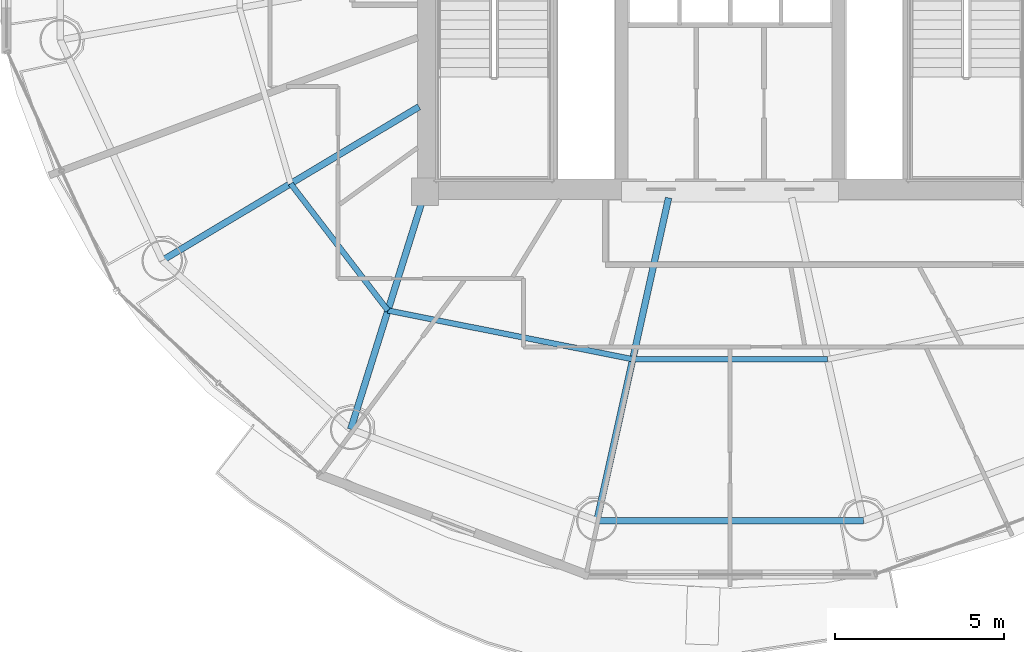
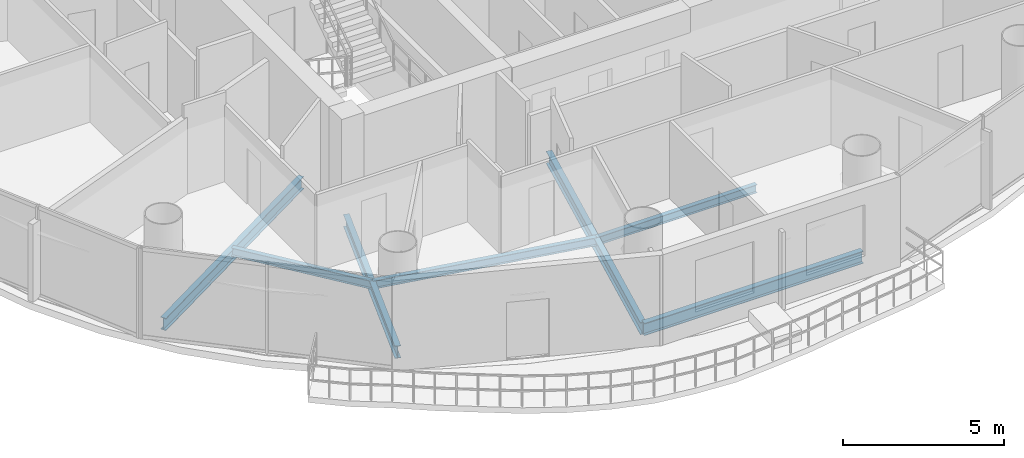
# One storey, part 4 of 26: 7 beams.
"""IFC4 building model written with IfcOpenShell, lengths in metres."""

from ifc_helpers import new_model, si_unit, direction, frame, origin, origin_2d, place, context, subcontext, project, spatial, i_section, extrude, material, material_profile, profile_set, type_object, element, save


model = new_model("IFC4")

# Units and contexts
model_context = context("Model", 3, precision=1e-05, world=origin(), true_north=direction((-0.2419218956, 0.970295726276)))
body_context = subcontext(model_context, "Body", "Model", "MODEL_VIEW")
ifc_project = project(units=[si_unit("LENGTHUNIT", "METRE"), si_unit("AREAUNIT", "SQUARE_METRE"), si_unit("VOLUMEUNIT", "CUBIC_METRE"), si_unit("PLANEANGLEUNIT", "RADIAN"), si_unit("MASSUNIT", "GRAM", prefix="KILO")], contexts=[model_context])

# Site, building, storey
site_placement = place(None, origin())
site = spatial("IfcSite", under=ifc_project, at=site_placement, CompositionType="ELEMENT")
building_placement = place(site_placement, origin())
building = spatial("IfcBuilding", under=site, at=building_placement, Name="Cobrevalo Terracotta Tower", CompositionType="ELEMENT")
storey_placement = place(building_placement, frame((0.0, 0.0, 206.0)))
storey = spatial("IfcBuildingStorey", under=building, at=storey_placement, Name="L54", CompositionType="ELEMENT", Elevation=206.0)

# Beams
ifc_material = material(Name="Steel S355", Category="steel")
ifc_material_profile_1 = material_profile(ifc_material, i_section(OverallWidth=0.194091796875, OverallDepth=0.468994140625, WebThickness=0.011474609375, FlangeThickness=0.0205078125, at=origin_2d()), Name="W 460x106")
ifc_profile_set_1 = profile_set([ifc_material_profile_1], Name="Steel S355")
beam_type_1 = type_object("IfcBeamType", Name="Structural Beam W 460x106 (Steel S355)", PredefinedType="BEAM", material=ifc_profile_set_1)
beam_1_placement = place(storey_placement, frame((21.245849609375, 16.77197265625, -0.49951171875), z_axis=(0.858046392192, 0.513572184651, 0.0), x_axis=(-0.513572184651, 0.858046392192, 0.0)))
element("IfcBeam", 1, at=beam_1_placement, inside=storey, type_object=beam_type_1, Name="L54 radial floor girder 10", PredefinedType="BEAM", context=body_context, shape_type="SweptSolid", body=[
    extrude(i_section(OverallWidth=0.194091796875, OverallDepth=0.468994140625, WebThickness=0.011474609375, FlangeThickness=0.0205078125, at=origin_2d()), origin(), (0.0, 0.0, 1.0), 8.827392578125),
])
beam_2_placement = place(storey_placement, frame((26.80517578125, 11.7919921875, -0.49951171875), z_axis=(0.298871212691, 0.954293454984, 0.0), x_axis=(-0.954293454984, 0.298871212691, 0.0)))
element("IfcBeam", 2, at=beam_2_placement, inside=storey, type_object=beam_type_1, Name="L54 radial floor girder 11", PredefinedType="BEAM", context=body_context, shape_type="SweptSolid", body=[
    extrude(i_section(OverallWidth=0.194091796875, OverallDepth=0.468994140625, WebThickness=0.011474609375, FlangeThickness=0.0205078125, at=origin_2d()), origin(), (0.0, 0.0, 1.0), 7.34375),
])
beam_3_placement = place(storey_placement, frame((34.06884765625, 9.096923828125, -0.49951171875), z_axis=(0.216782061165, 0.976220025382, 0.0), x_axis=(-0.976220025382, 0.216782061165, 0.0)))
element("IfcBeam", 3, at=beam_3_placement, inside=storey, type_object=beam_type_1, Name="L54 radial floor girder 12", PredefinedType="BEAM", context=body_context, shape_type="SweptSolid", body=[
    extrude(i_section(OverallWidth=0.194091796875, OverallDepth=0.468994140625, WebThickness=0.011474609375, FlangeThickness=0.0205078125, at=origin_2d()), origin(), (0.0, 0.0, 1.0), 9.755126953125),
])
ifc_material_profile_2 = material_profile(ifc_material, i_section(OverallWidth=0.1650390625, OverallDepth=0.31005859375, WebThickness=0.005859375, FlangeThickness=0.009765625, at=origin_2d()), Name="W 310x38.7")
ifc_profile_set_2 = profile_set([ifc_material_profile_2], Name="Steel S355")
beam_type_2 = type_object("IfcBeamType", Name="Structural Joist W 310x38.7 (Steel S355)", PredefinedType="JOIST", material=ifc_profile_set_2)
beam_4_placement = place(storey_placement, frame((25.032958984375, 19.03857421875, -0.419921875), z_axis=(0.608464146296, -0.793581364872, 0.0), x_axis=(0.793581364872, 0.608464146296, 0.0)))
element("IfcBeam", 4, at=beam_4_placement, inside=storey, type_object=beam_type_2, Name="L54 circumferential secondary floor joist 10", PredefinedType="JOIST", context=body_context, shape_type="SweptSolid", body=[
    extrude(i_section(OverallWidth=0.1650390625, OverallDepth=0.31005859375, WebThickness=0.005859375, FlangeThickness=0.009765625, at=origin_2d()), origin(), (0.0, 0.0, 1.0), 4.716064453125),
])
beam_5_placement = place(storey_placement, frame((27.902587890625, 15.2958984375, -0.419921875), z_axis=(0.980768907748, -0.195172614871, 0.0), x_axis=(0.195172614871, 0.980768907748, 0.0)))
element("IfcBeam", 5, at=beam_5_placement, inside=storey, type_object=beam_type_2, Name="L54 circumferential secondary floor joist 11", PredefinedType="JOIST", context=body_context, shape_type="SweptSolid", body=[
    extrude(i_section(OverallWidth=0.1650390625, OverallDepth=0.31005859375, WebThickness=0.005859375, FlangeThickness=0.009765625, at=origin_2d()), origin(), (0.0, 0.0, 1.0), 7.365234375),
])
beam_6_placement = place(storey_placement, frame((35.126220703125, 13.8583984375, -0.419921875), z_axis=(1.0, 0.0, 0.0), x_axis=(0.0, 1.0, 0.0)))
element("IfcBeam", 6, at=beam_6_placement, inside=storey, type_object=beam_type_2, Name="L54 circumferential secondary floor joist 12", PredefinedType="JOIST", context=body_context, shape_type="SweptSolid", body=[
    extrude(i_section(OverallWidth=0.1650390625, OverallDepth=0.31005859375, WebThickness=0.005859375, FlangeThickness=0.009765625, at=origin_2d()), origin(), (0.0, 0.0, 1.0), 5.74755859375),
])
ifc_material_profile_3 = material_profile(ifc_material, i_section(OverallWidth=0.194091796875, OverallDepth=0.468994140625, WebThickness=0.011474609375, FlangeThickness=0.0205078125, at=origin_2d()), Name="W 460x106")
ifc_profile_set_3 = profile_set([ifc_material_profile_3], Name="Steel S355")
beam_type_3 = type_object("IfcBeamType", Name="Structural Spandrel W 460x106 (Steel S355)", PredefinedType="SPANDREL", material=ifc_profile_set_3)
beam_7_placement = place(storey_placement, frame((34.06884765625, 9.096923828125, -0.49951171875), z_axis=(1.0, 0.0, 0.0), x_axis=(0.0, 1.0, 0.0)))
element("IfcBeam", 7, at=beam_7_placement, inside=storey, type_object=beam_type_3, Name="L54 perimeter ring spandrel 12", PredefinedType="SPANDREL", context=body_context, shape_type="SweptSolid", body=[
    extrude(i_section(OverallWidth=0.194091796875, OverallDepth=0.468994140625, WebThickness=0.011474609375, FlangeThickness=0.0205078125, at=origin_2d()), origin(), (0.0, 0.0, 1.0), 7.8623046875),
])

save(model, "model.ifc")
